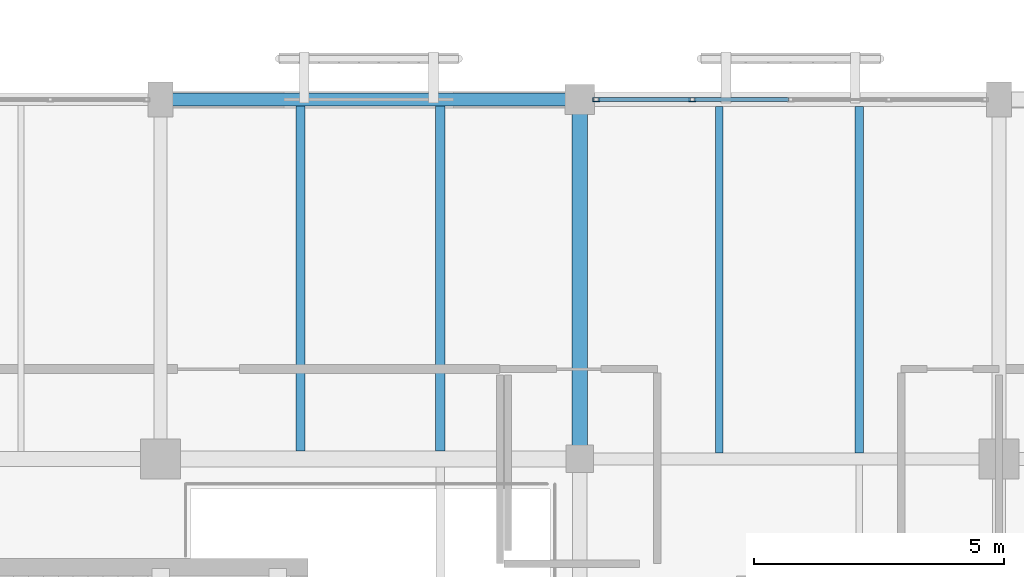
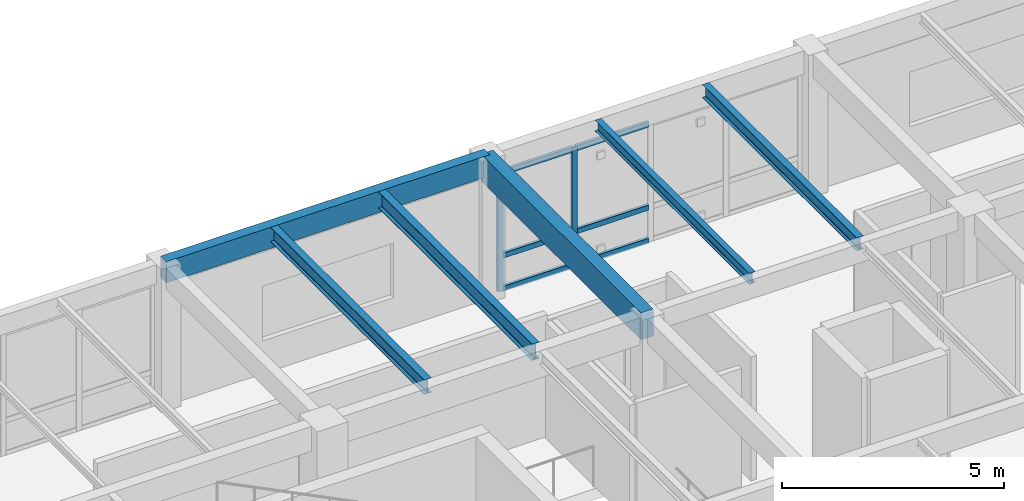
# One storey, part 51 of 170: 8 members, 6 beams, 1 element without a shape of its own.
"""IFC4 building model written with IfcOpenShell, lengths in metres."""

from ifc_helpers import new_model, si_unit, direction, frame, origin, origin_2d, place, context, subcontext, project, spatial, rectangle, hollow_rectangle, i_section, extrude, material, layer, layer_set, material_profile, profile_set, type_object, element, aggregate, save


model = new_model("IFC4")

# Units and contexts
model_context = context("Model", 3, precision=1e-05, world=origin(), true_north=direction((0.0, 1.0)))
body_context = subcontext(model_context, "Body", "Model", "MODEL_VIEW")
ifc_project = project(units=[si_unit("LENGTHUNIT", "METRE"), si_unit("AREAUNIT", "SQUARE_METRE"), si_unit("VOLUMEUNIT", "CUBIC_METRE"), si_unit("PLANEANGLEUNIT", "RADIAN"), si_unit("MASSUNIT", "GRAM", prefix="KILO")], contexts=[model_context])

# Site, building, storey
site_placement = place(None, origin())
site = spatial("IfcSite", under=ifc_project, at=site_placement, CompositionType="ELEMENT")
building_placement = place(site_placement, origin())
building = spatial("IfcBuilding", under=site, at=building_placement, Name="Mazaris Harbour Polytechnic", CompositionType="ELEMENT")
storey_placement = place(building_placement, frame((0.0, 0.0, 5.39990234375)))
storey = spatial("IfcBuildingStorey", under=building, at=storey_placement, Name="L01", CompositionType="ELEMENT", Elevation=5.39990234375)

# Curtain wall, members
ifc_material_1 = material(Name="Anodised Bronze Aluminium and Low-E Glass", Category="aluminium")
ifc_layer = layer(ifc_material_1, 0.159912109375, Name="Anodised Bronze Aluminium and Low-E Glass")
ifc_layer_set = layer_set([ifc_layer], Name="Anodised Bronze Aluminium and Low-E Glass")
curtain_wall_type = type_object("IfcCurtainWallType", Name="Cloister Court Curtain Wall", PredefinedType="NOTDEFINED", material=ifc_layer_set)
curtain_wall_placement = place(storey_placement, origin())
curtain_wall = element("IfcCurtainWall", 1, at=curtain_wall_placement, inside=storey, type_object=curtain_wall_type, Name="V3 L01 Curtain Wall 76", PredefinedType="NOTDEFINED")
ifc_material_2 = material(Name="Anodised Bronze Steel S355", Category="steel")
ifc_material_profile_1 = material_profile(ifc_material_2, hollow_rectangle(XDim=0.080078125, YDim=0.139892578125, WallThickness=0.00634765625, at=origin_2d()), Name="RHS 80x140x6.3")
ifc_profile_set_1 = profile_set([ifc_material_profile_1], Name="Anodised Bronze Steel S355")
member_type_1 = type_object("IfcMemberType", Name="Curtain Mullion RHS80x140", PredefinedType="MULLION", material=ifc_profile_set_1)
member_1_placement = place(storey_placement, frame((71.132080078125, 36.0, 0.0), z_axis=(0.0, 0.0, 1.0), x_axis=(0.0, 1.0, 0.0)))
member_1 = element("IfcMember", 2, at=member_1_placement, type_object=member_type_1, Name="CW-02 mullion 1", PredefinedType="MULLION", context=body_context, shape_type="SweptSolid", body=[
    extrude(hollow_rectangle(XDim=0.080078125, YDim=0.139892578125, WallThickness=0.00634765625, at=origin_2d()), origin(), (0.0, 0.0, 1.0), 3.27001953125),
])
member_2_placement = place(storey_placement, frame((73.05859375, 36.0, 0.0), z_axis=(0.0, 0.0, 1.0), x_axis=(0.0, 1.0, 0.0)))
member_2 = element("IfcMember", 3, at=member_2_placement, type_object=member_type_1, Name="CW-02 mullion 2", PredefinedType="MULLION", context=body_context, shape_type="SweptSolid", body=[
    extrude(hollow_rectangle(XDim=0.080078125, YDim=0.139892578125, WallThickness=0.00634765625, at=origin_2d()), origin(), (0.0, 0.0, 1.0), 3.27001953125),
])
ifc_material_3 = material(Name="Anodised Bronze Steel S355", Category="steel")
ifc_material_profile_2 = material_profile(ifc_material_3, hollow_rectangle(XDim=0.080078125, YDim=0.139892578125, WallThickness=0.00634765625, at=origin_2d()), Name="RHS 80x140x6.3")
ifc_profile_set_2 = profile_set([ifc_material_profile_2], Name="Anodised Bronze Steel S355")
member_type_2 = type_object("IfcMemberType", Name="Curtain Transom RHS80x140", PredefinedType="USERDEFINED", material=ifc_profile_set_2)
member_3_placement = place(storey_placement, frame((71.172119140625, 36.0, 0.0400390625), z_axis=(1.0, 0.0, 0.0), x_axis=(0.0, 1.0, 0.0)))
member_3 = element("IfcMember", 4, at=member_3_placement, type_object=member_type_2, Name="CW-02 transom 1.1", ObjectType="TRANSOM", PredefinedType="USERDEFINED", context=body_context, shape_type="SweptSolid", body=[
    extrude(hollow_rectangle(XDim=0.080078125, YDim=0.139892578125, WallThickness=0.00634765625, at=origin_2d()), origin(), (0.0, 0.0, 1.0), 1.846435546875),
])
member_4_placement = place(storey_placement, frame((71.172119140625, 36.0, 0.9501953125), z_axis=(1.0, 0.0, 0.0), x_axis=(0.0, 1.0, 0.0)))
member_4 = element("IfcMember", 5, at=member_4_placement, type_object=member_type_2, Name="CW-02 transom 1.2", ObjectType="TRANSOM", PredefinedType="USERDEFINED", context=body_context, shape_type="SweptSolid", body=[
    extrude(hollow_rectangle(XDim=0.080078125, YDim=0.139892578125, WallThickness=0.00634765625, at=origin_2d()), origin(), (0.0, 0.0, 1.0), 1.846435546875),
])
member_5_placement = place(storey_placement, frame((71.172119140625, 36.0, 3.22998046875), z_axis=(1.0, 0.0, 0.0), x_axis=(0.0, 1.0, 0.0)))
member_5 = element("IfcMember", 6, at=member_5_placement, type_object=member_type_2, Name="CW-02 transom 1.3", ObjectType="TRANSOM", PredefinedType="USERDEFINED", context=body_context, shape_type="SweptSolid", body=[
    extrude(hollow_rectangle(XDim=0.080078125, YDim=0.139892578125, WallThickness=0.00634765625, at=origin_2d()), origin(), (0.0, 0.0, 1.0), 1.846435546875),
])
member_6_placement = place(storey_placement, frame((73.098388671875, 36.0, 0.0400390625), z_axis=(1.0, 0.0, 0.0), x_axis=(0.0, 1.0, 0.0)))
member_6 = element("IfcMember", 7, at=member_6_placement, type_object=member_type_2, Name="CW-02 transom 2.1", ObjectType="TRANSOM", PredefinedType="USERDEFINED", context=body_context, shape_type="SweptSolid", body=[
    extrude(hollow_rectangle(XDim=0.080078125, YDim=0.139892578125, WallThickness=0.00634765625, at=origin_2d()), origin(), (0.0, 0.0, 1.0), 1.88671875),
])
member_7_placement = place(storey_placement, frame((73.098388671875, 36.0, 0.9501953125), z_axis=(1.0, 0.0, 0.0), x_axis=(0.0, 1.0, 0.0)))
member_7 = element("IfcMember", 8, at=member_7_placement, type_object=member_type_2, Name="CW-02 transom 2.2", ObjectType="TRANSOM", PredefinedType="USERDEFINED", context=body_context, shape_type="SweptSolid", body=[
    extrude(hollow_rectangle(XDim=0.080078125, YDim=0.139892578125, WallThickness=0.00634765625, at=origin_2d()), origin(), (0.0, 0.0, 1.0), 1.88671875),
])
member_8_placement = place(storey_placement, frame((73.098388671875, 36.0, 3.22998046875), z_axis=(1.0, 0.0, 0.0), x_axis=(0.0, 1.0, 0.0)))
member_8 = element("IfcMember", 9, at=member_8_placement, type_object=member_type_2, Name="CW-02 transom 2.3", ObjectType="TRANSOM", PredefinedType="USERDEFINED", context=body_context, shape_type="SweptSolid", body=[
    extrude(hollow_rectangle(XDim=0.080078125, YDim=0.139892578125, WallThickness=0.00634765625, at=origin_2d()), origin(), (0.0, 0.0, 1.0), 1.88671875),
])
aggregate(curtain_wall, [member_1, member_2, member_3, member_4, member_5, member_6, member_7, member_8])

# Beams
ifc_material_4 = material(Name="Glulam GL32h", Category="wood")
ifc_material_profile_3 = material_profile(ifc_material_4, rectangle(XDim=0.260009765625, YDim=0.580078125, at=origin_2d()), Name="RECT260x580")
ifc_profile_set_3 = profile_set([ifc_material_profile_3], Name="Glulam GL32h")
beam_type_1 = type_object("IfcBeamType", Name="Glulam Girder 260x580 Exterior", PredefinedType="BEAM", material=ifc_profile_set_3)
beam_1_placement = place(storey_placement, frame((62.39990234375, 36.0, 3.630126953125), z_axis=(1.0, 0.0, 0.0), x_axis=(0.0, 1.0, 0.0)))
element("IfcBeam", 10, at=beam_1_placement, inside=storey, type_object=beam_type_1, Name="V3 L01 Girder 991", PredefinedType="BEAM", context=body_context, shape_type="SweptSolid", body=[
    extrude(rectangle(XDim=0.260009765625, YDim=0.580078125, at=origin_2d()), origin(), (0.0, 0.0, 1.0), 8.400146484375),
])
ifc_material_5 = material(Name="Glulam GL32h", Category="wood")
ifc_material_profile_4 = material_profile(ifc_material_5, rectangle(XDim=0.320068359375, YDim=0.739990234375, at=origin_2d()), Name="RECT320x740")
ifc_profile_set_4 = profile_set([ifc_material_profile_4], Name="Glulam GL32h")
beam_type_2 = type_object("IfcBeamType", Name="Glulam Girder 320x740", PredefinedType="BEAM", material=ifc_profile_set_4)
beam_2_placement = place(storey_placement, frame((70.800048828125, 28.800048828125, 3.550048828125), z_axis=(0.0, 1.0, 0.0), x_axis=(-1.0, 0.0, 0.0)))
element("IfcBeam", 11, at=beam_2_placement, inside=storey, type_object=beam_type_2, Name="V3 L01 Tie Girder 1004", PredefinedType="BEAM", context=body_context, shape_type="SweptSolid", body=[
    extrude(rectangle(XDim=0.320068359375, YDim=0.739990234375, at=origin_2d()), origin(), (0.0, 0.0, 1.0), 7.199951171875),
])
ifc_material_6 = material(Name="Steel S355", Category="steel")
ifc_material_profile_5 = material_profile(ifc_material_6, i_section(OverallWidth=0.14990234375, OverallDepth=0.300048828125, WebThickness=0.007080078125, FlangeThickness=0.0107421875, FilletRadius=0.014892578125, at=origin_2d()), Name="IPE 300")
ifc_profile_set_5 = profile_set([ifc_material_profile_5], Name="Steel S355")
beam_type_3 = type_object("IfcBeamType", Name="Steel Joist IPE300", PredefinedType="JOIST", material=ifc_profile_set_5)
beam_3_placement = place(storey_placement, frame((73.60009765625, 28.919921875, 3.77001953125), z_axis=(0.0, 1.0, 0.0), x_axis=(-1.0, 0.0, 0.0)))
element("IfcBeam", 12, at=beam_3_placement, inside=storey, type_object=beam_type_3, Name="V3 L01 Floor Joist 1032", PredefinedType="JOIST", context=body_context, shape_type="SweptSolid", body=[
    extrude(i_section(OverallWidth=0.14990234375, OverallDepth=0.300048828125, WebThickness=0.007080078125, FlangeThickness=0.0107421875, FilletRadius=0.014892578125, at=origin_2d()), origin(), (0.0, 0.0, 1.0), 6.940185546875),
])
ifc_material_7 = material(Name="Steel S355", Category="steel")
ifc_material_profile_6 = material_profile(ifc_material_7, i_section(OverallWidth=0.169921875, OverallDepth=0.360107421875, WebThickness=0.008056640625, FlangeThickness=0.0126953125, FilletRadius=0.01806640625, at=origin_2d()), Name="IPE 360")
ifc_profile_set_6 = profile_set([ifc_material_profile_6], Name="Steel S355")
beam_type_4 = type_object("IfcBeamType", Name="Steel Joist IPE360", PredefinedType="JOIST", material=ifc_profile_set_6)
beam_4_placement = place(storey_placement, frame((76.39990234375, 28.919921875, 3.739990234375), z_axis=(0.0, 1.0, 0.0), x_axis=(-1.0, 0.0, 0.0)))
element("IfcBeam", 13, at=beam_4_placement, inside=storey, type_object=beam_type_4, Name="V3 L01 Floor Joist 1033", PredefinedType="JOIST", context=body_context, shape_type="SweptSolid", body=[
    extrude(i_section(OverallWidth=0.169921875, OverallDepth=0.360107421875, WebThickness=0.008056640625, FlangeThickness=0.0126953125, FilletRadius=0.01806640625, at=origin_2d()), origin(), (0.0, 0.0, 1.0), 6.940185546875),
])
ifc_material_8 = material(Name="Steel S355", Category="steel")
ifc_material_profile_7 = material_profile(ifc_material_8, i_section(OverallWidth=0.179931640625, OverallDepth=0.39990234375, WebThickness=0.008544921875, FlangeThickness=0.013427734375, FilletRadius=0.02099609375, at=origin_2d()), Name="IPE 400")
ifc_profile_set_7 = profile_set([ifc_material_profile_7], Name="Steel S355")
beam_type_5 = type_object("IfcBeamType", Name="Steel Joist IPE400", PredefinedType="JOIST", material=ifc_profile_set_7)
beam_5_placement = place(storey_placement, frame((65.199951171875, 28.9599609375, 3.72021484375), z_axis=(0.0, 1.0, 0.0), x_axis=(-1.0, 0.0, 0.0)))
element("IfcBeam", 14, at=beam_5_placement, inside=storey, type_object=beam_type_5, Name="V3 L01 Floor Joist 1027", PredefinedType="JOIST", context=body_context, shape_type="SweptSolid", body=[
    extrude(i_section(OverallWidth=0.179931640625, OverallDepth=0.39990234375, WebThickness=0.008544921875, FlangeThickness=0.013427734375, FilletRadius=0.02099609375, at=origin_2d()), origin(), (0.0, 0.0, 1.0), 6.91015625),
])
ifc_material_9 = material(Name="Steel S355", Category="steel")
ifc_material_profile_8 = material_profile(ifc_material_9, i_section(OverallWidth=0.18994140625, OverallDepth=0.449951171875, WebThickness=0.009521484375, FlangeThickness=0.0146484375, FilletRadius=0.02099609375, at=origin_2d()), Name="IPE 450")
ifc_profile_set_8 = profile_set([ifc_material_profile_8], Name="Steel S355")
beam_type_6 = type_object("IfcBeamType", Name="Steel Joist IPE450", PredefinedType="JOIST", material=ifc_profile_set_8)
beam_6_placement = place(storey_placement, frame((68.0, 28.9599609375, 3.695068359375), z_axis=(0.0, 1.0, 0.0), x_axis=(-1.0, 0.0, 0.0)))
element("IfcBeam", 15, at=beam_6_placement, inside=storey, type_object=beam_type_6, Name="V3 L01 Floor Joist 1028", PredefinedType="JOIST", context=body_context, shape_type="SweptSolid", body=[
    extrude(i_section(OverallWidth=0.18994140625, OverallDepth=0.449951171875, WebThickness=0.009521484375, FlangeThickness=0.0146484375, FilletRadius=0.02099609375, at=origin_2d()), origin(), (0.0, 0.0, 1.0), 6.91015625),
])

save(model, "model.ifc")
